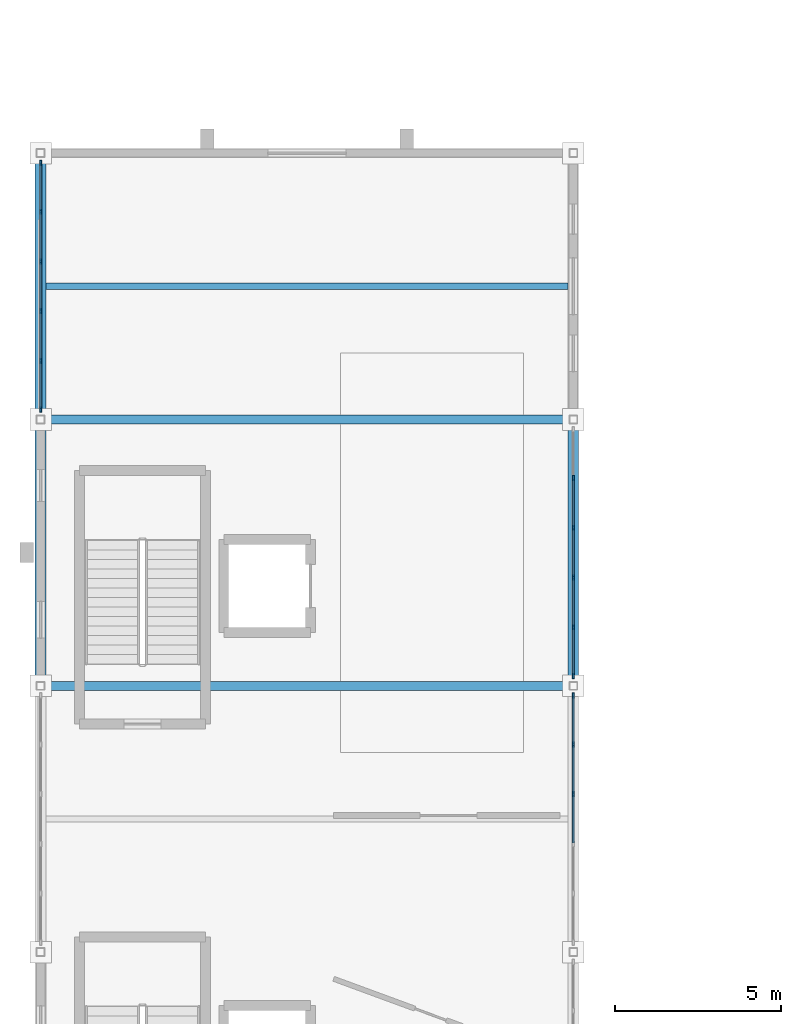
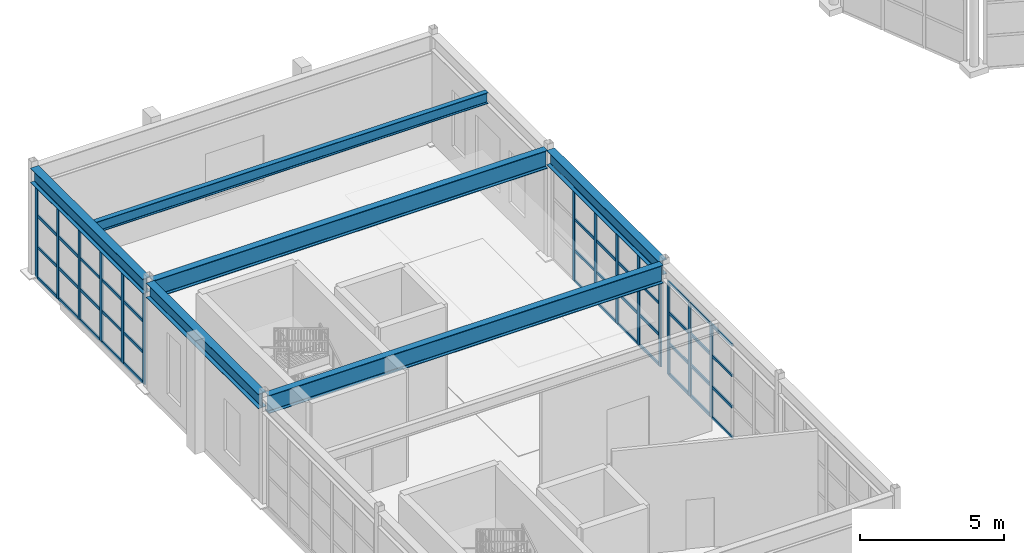
# One storey, part 11 of 61: 62 members, 6 beams, 3 elements without a shape of their own.
"""IFC4 building model written with IfcOpenShell, lengths in metres."""

from ifc_helpers import new_model, si_unit, direction, frame, origin, origin_2d, place, context, subcontext, project, spatial, rectangle, i_section, extrude, material, material_profile, profile_set, type_object, element, aggregate, save


model = new_model("IFC4")

# Units and contexts
model_context = context("Model", 3, precision=1e-05, world=origin(), true_north=direction((0.0, 1.0)))
body_context = subcontext(model_context, "Body", "Model", "MODEL_VIEW")
ifc_project = project(units=[si_unit("LENGTHUNIT", "METRE"), si_unit("AREAUNIT", "SQUARE_METRE"), si_unit("VOLUMEUNIT", "CUBIC_METRE"), si_unit("PLANEANGLEUNIT", "RADIAN"), si_unit("MASSUNIT", "GRAM", prefix="KILO")], contexts=[model_context])

# Site, building, storey
site_placement = place(None, origin())
site = spatial("IfcSite", under=ifc_project, at=site_placement, CompositionType="ELEMENT")
building_placement = place(site_placement, origin())
building = spatial("IfcBuilding", under=site, at=building_placement, Name="Serraluz Foothill Cableway Terminal", CompositionType="ELEMENT")
storey_placement = place(building_placement, frame((0.0, 0.0, 15.0)))
storey = spatial("IfcBuildingStorey", under=building, at=storey_placement, Name="L03", CompositionType="ELEMENT", Elevation=15.0)

# Beams
ifc_material_1 = material(Name="Steel ASTM A992 Grade 50", Category="steel")
ifc_material_profile_1 = material_profile(ifc_material_1, i_section(OverallWidth=0.324951171875, OverallDepth=0.615966796875, WebThickness=0.013916015625, FlangeThickness=0.021484375, FilletRadius=0.01806640625, at=origin_2d()), Name="W24X117")
ifc_profile_set_1 = profile_set([ifc_material_profile_1], Name="Steel ASTM A992 Grade 50")
beam_type_1 = type_object("IfcBeamType", Name="TYP-BM-W24X117", PredefinedType="BEAM", material=ifc_profile_set_1)
for number, where, z_axis, x_axis, name in (
    (1, (0.0, 48.12109375, 4.251953125), (0.0, 1.0, 0.0), (-1.0, 0.0, 0.0), "Transverse Girder BM-Y-L03-0379"),
    (2, (0.0, 56.12109375, 4.257080078125), (0.0, 1.0, 0.0), (-1.0, 0.0, 0.0), "Transverse Girder BM-Y-L03-0380"),
    (3, (16.0, 48.12109375, 4.251953125), (0.0, 1.0, 0.0), (-1.0, 0.0, 0.0), "Transverse Girder BM-Y-L03-0383"),
):
    element("IfcBeam", number, at=place(storey_placement, frame(where, z_axis=z_axis, x_axis=x_axis)), inside=storey, type_object=beam_type_1, Name=name, PredefinedType="BEAM", context=body_context, shape_type="SweptSolid", body=[
        extrude(i_section(OverallWidth=0.324951171875, OverallDepth=0.615966796875, WebThickness=0.013916015625, FlangeThickness=0.021484375, FilletRadius=0.01806640625, at=origin_2d()), origin(), (0.0, 0.0, 1.0), 7.7578125),
    ])
ifc_material_profile_2 = material_profile(ifc_material_1, i_section(OverallWidth=0.26806640625, OverallDepth=0.77001953125, WebThickness=0.015625, FlangeThickness=0.025390625, FilletRadius=0.02197265625, at=origin_2d()), Name="W30X132")
ifc_profile_set_2 = profile_set([ifc_material_profile_2], Name="Steel ASTM A992 Grade 50")
beam_type_2 = type_object("IfcBeamType", Name="TYP-BM-W30X132", PredefinedType="BEAM", material=ifc_profile_set_2)
for number, where, z_axis, x_axis, name in (
    (4, (0.12109375, 48.0, 4.175048828125), (1.0, 0.0, 0.0), (0.0, 1.0, 0.0), "Primary Girder BM-X-L03-0346"),
    (5, (0.12109375, 56.0, 4.175048828125), (1.0, 0.0, 0.0), (0.0, 1.0, 0.0), "Primary Girder BM-X-L03-0347"),
):
    element("IfcBeam", number, at=place(storey_placement, frame(where, z_axis=z_axis, x_axis=x_axis)), inside=storey, type_object=beam_type_2, Name=name, PredefinedType="BEAM", context=body_context, shape_type="SweptSolid", body=[
        extrude(i_section(OverallWidth=0.26806640625, OverallDepth=0.77001953125, WebThickness=0.015625, FlangeThickness=0.025390625, FilletRadius=0.02197265625, at=origin_2d()), origin(), (0.0, 0.0, 1.0), 15.7578125),
    ])

# Curtain wall, members
ifc_material_2 = material(Name="Architectural bronze alloy C28000", Category="aluminium")
curtain_wall_type_1 = type_object("IfcCurtainWallType", Name="TYP-CW-480X380", PredefinedType="NOTDEFINED", material=ifc_material_2)
curtain_wall_1_placement = place(storey_placement, origin())
curtain_wall_1 = element("IfcCurtainWall", 6, at=curtain_wall_1_placement, inside=storey, type_object=curtain_wall_type_1, Name="Ribbed Glazed Curtain Wall CW-V5E-L03-40", PredefinedType="NOTDEFINED")
ifc_material_profile_3 = material_profile(ifc_material_2, rectangle(XDim=0.06005859375, YDim=0.159912109375, at=origin_2d()), Name="ALU MULLION 60x160")
ifc_profile_set_3 = profile_set([ifc_material_profile_3], Name="Architectural bronze alloy C28000")
member_type_1 = type_object("IfcMemberType", Name="TYP-CW-MUL-60X160", PredefinedType="MULLION", material=ifc_profile_set_3)
member_1_placement = place(storey_placement, frame((16.0, 47.705078125, 0.0), z_axis=(0.0, 0.0, 1.0), x_axis=(1.0, 0.0, 0.0)))
member_1 = element("IfcMember", 7, at=member_1_placement, type_object=member_type_1, Name="CW-14 mullion 1", PredefinedType="MULLION", context=body_context, shape_type="SweptSolid", body=[
    extrude(rectangle(XDim=0.06005859375, YDim=0.159912109375, at=origin_2d()), origin(), (0.0, 0.0, 1.0), 3.944091796875),
])
member_2_placement = place(storey_placement, frame((16.0, 46.240966796875, 0.0), z_axis=(0.0, 0.0, 1.0), x_axis=(1.0, 0.0, 0.0)))
member_2 = element("IfcMember", 8, at=member_2_placement, type_object=member_type_1, Name="CW-14 mullion 2", PredefinedType="MULLION", context=body_context, shape_type="SweptSolid", body=[
    extrude(rectangle(XDim=0.06005859375, YDim=0.159912109375, at=origin_2d()), origin(), (0.0, 0.0, 1.0), 3.944091796875),
])
member_3_placement = place(storey_placement, frame((16.0, 44.7470703125, 0.0), z_axis=(0.0, 0.0, 1.0), x_axis=(1.0, 0.0, 0.0)))
member_3 = element("IfcMember", 9, at=member_3_placement, type_object=member_type_1, Name="CW-14 mullion 3", PredefinedType="MULLION", context=body_context, shape_type="SweptSolid", body=[
    extrude(rectangle(XDim=0.06005859375, YDim=0.159912109375, at=origin_2d()), origin(), (0.0, 0.0, 1.0), 3.944091796875),
])

curtain_wall_type_2 = type_object("IfcCurtainWallType", Name="TYP-CW-480X420", PredefinedType="NOTDEFINED", material=ifc_material_2)
curtain_wall_2_placement = place(storey_placement, origin())
curtain_wall_2 = element("IfcCurtainWall", 10, at=curtain_wall_2_placement, inside=storey, type_object=curtain_wall_type_2, Name="Ribbed Glazed Curtain Wall CW-V5E-L03-48", PredefinedType="NOTDEFINED")
member_4_placement = place(storey_placement, frame((16.0, 54.240966796875, 0.0), z_axis=(0.0, 0.0, 1.0), x_axis=(1.0, 0.0, 0.0)))
member_4 = element("IfcMember", 11, at=member_4_placement, type_object=member_type_1, Name="CW-15 mullion 2", PredefinedType="MULLION", context=body_context, shape_type="SweptSolid", body=[
    extrude(rectangle(XDim=0.06005859375, YDim=0.159912109375, at=origin_2d()), origin(), (0.0, 0.0, 1.0), 3.944091796875),
])
member_5_placement = place(storey_placement, frame((16.0, 52.7470703125, 0.0), z_axis=(0.0, 0.0, 1.0), x_axis=(1.0, 0.0, 0.0)))
member_5 = element("IfcMember", 12, at=member_5_placement, type_object=member_type_1, Name="CW-15 mullion 3", PredefinedType="MULLION", context=body_context, shape_type="SweptSolid", body=[
    extrude(rectangle(XDim=0.06005859375, YDim=0.159912109375, at=origin_2d()), origin(), (0.0, 0.0, 1.0), 3.944091796875),
])
member_6_placement = place(storey_placement, frame((16.0, 51.2529296875, 0.0), z_axis=(0.0, 0.0, 1.0), x_axis=(1.0, 0.0, 0.0)))
member_6 = element("IfcMember", 13, at=member_6_placement, type_object=member_type_1, Name="CW-15 mullion 4", PredefinedType="MULLION", context=body_context, shape_type="SweptSolid", body=[
    extrude(rectangle(XDim=0.06005859375, YDim=0.159912109375, at=origin_2d()), origin(), (0.0, 0.0, 1.0), 3.944091796875),
])
member_7_placement = place(storey_placement, frame((16.0, 49.759033203125, 0.0), z_axis=(0.0, 0.0, 1.0), x_axis=(1.0, 0.0, 0.0)))
member_7 = element("IfcMember", 14, at=member_7_placement, type_object=member_type_1, Name="CW-15 mullion 5", PredefinedType="MULLION", context=body_context, shape_type="SweptSolid", body=[
    extrude(rectangle(XDim=0.06005859375, YDim=0.159912109375, at=origin_2d()), origin(), (0.0, 0.0, 1.0), 3.944091796875),
])
member_8_placement = place(storey_placement, frame((16.0, 48.294921875, 0.0), z_axis=(0.0, 0.0, 1.0), x_axis=(1.0, 0.0, 0.0)))
member_8 = element("IfcMember", 15, at=member_8_placement, type_object=member_type_1, Name="CW-15 mullion 6", PredefinedType="MULLION", context=body_context, shape_type="SweptSolid", body=[
    extrude(rectangle(XDim=0.06005859375, YDim=0.159912109375, at=origin_2d()), origin(), (0.0, 0.0, 1.0), 3.944091796875),
])

curtain_wall_type_3 = type_object("IfcCurtainWallType", Name="TYP-CW-540X420", PredefinedType="NOTDEFINED", material=ifc_material_2)
curtain_wall_3_placement = place(storey_placement, origin())
curtain_wall_3 = element("IfcCurtainWall", 16, at=curtain_wall_3_placement, inside=storey, type_object=curtain_wall_type_3, Name="Ribbed Glazed Curtain Wall CW-V5W-L03-56", PredefinedType="NOTDEFINED")
member_9_placement = place(storey_placement, frame((0.0, 56.294921875, 0.0), z_axis=(0.0, 0.0, 1.0), x_axis=(-1.0, 0.0, 0.0)))
member_9 = element("IfcMember", 17, at=member_9_placement, type_object=member_type_1, Name="CW-10 mullion 1", PredefinedType="MULLION", context=body_context, shape_type="SweptSolid", body=[
    extrude(rectangle(XDim=0.06005859375, YDim=0.159912109375, at=origin_2d()), origin(), (0.0, 0.0, 1.0), 3.948974609375),
])
member_10_placement = place(storey_placement, frame((0.0, 57.759033203125, 0.0), z_axis=(0.0, 0.0, 1.0), x_axis=(-1.0, 0.0, 0.0)))
member_10 = element("IfcMember", 18, at=member_10_placement, type_object=member_type_1, Name="CW-10 mullion 2", PredefinedType="MULLION", context=body_context, shape_type="SweptSolid", body=[
    extrude(rectangle(XDim=0.06005859375, YDim=0.159912109375, at=origin_2d()), origin(), (0.0, 0.0, 1.0), 3.948974609375),
])
member_11_placement = place(storey_placement, frame((0.0, 59.2529296875, 0.0), z_axis=(0.0, 0.0, 1.0), x_axis=(-1.0, 0.0, 0.0)))
member_11 = element("IfcMember", 19, at=member_11_placement, type_object=member_type_1, Name="CW-10 mullion 3", PredefinedType="MULLION", context=body_context, shape_type="SweptSolid", body=[
    extrude(rectangle(XDim=0.06005859375, YDim=0.159912109375, at=origin_2d()), origin(), (0.0, 0.0, 1.0), 3.948974609375),
])
member_12_placement = place(storey_placement, frame((0.0, 60.7470703125, 0.0), z_axis=(0.0, 0.0, 1.0), x_axis=(-1.0, 0.0, 0.0)))
member_12 = element("IfcMember", 20, at=member_12_placement, type_object=member_type_1, Name="CW-10 mullion 4", PredefinedType="MULLION", context=body_context, shape_type="SweptSolid", body=[
    extrude(rectangle(XDim=0.06005859375, YDim=0.159912109375, at=origin_2d()), origin(), (0.0, 0.0, 1.0), 3.948974609375),
])
member_13_placement = place(storey_placement, frame((0.0, 62.240966796875, 0.0), z_axis=(0.0, 0.0, 1.0), x_axis=(-1.0, 0.0, 0.0)))
member_13 = element("IfcMember", 21, at=member_13_placement, type_object=member_type_1, Name="CW-10 mullion 5", PredefinedType="MULLION", context=body_context, shape_type="SweptSolid", body=[
    extrude(rectangle(XDim=0.06005859375, YDim=0.159912109375, at=origin_2d()), origin(), (0.0, 0.0, 1.0), 3.948974609375),
])
member_14_placement = place(storey_placement, frame((0.0, 63.705078125, 0.0), z_axis=(0.0, 0.0, 1.0), x_axis=(-1.0, 0.0, 0.0)))
member_14 = element("IfcMember", 22, at=member_14_placement, type_object=member_type_1, Name="CW-10 mullion 6", PredefinedType="MULLION", context=body_context, shape_type="SweptSolid", body=[
    extrude(rectangle(XDim=0.06005859375, YDim=0.159912109375, at=origin_2d()), origin(), (0.0, 0.0, 1.0), 3.948974609375),
])

# Member
ifc_material_profile_4 = material_profile(ifc_material_2, rectangle(XDim=0.06005859375, YDim=0.1201171875, at=origin_2d()), Name="ALU TRANSOM 60x120")
ifc_profile_set_4 = profile_set([ifc_material_profile_4], Name="Architectural bronze alloy C28000")
member_type_2 = type_object("IfcMemberType", Name="TYP-CW-TRN-60X120", PredefinedType="USERDEFINED", material=ifc_profile_set_4)
member_15_placement = place(storey_placement, frame((16.0, 47.675048828125, 0.030029296875), z_axis=(0.0, -1.0, 0.0), x_axis=(1.0, 0.0, 0.0)))
member_15 = element("IfcMember", 23, at=member_15_placement, type_object=member_type_2, Name="CW-14 transom 1.1", ObjectType="TRANSOM", PredefinedType="USERDEFINED", context=body_context, shape_type="SweptSolid", body=[
    extrude(rectangle(XDim=0.06005859375, YDim=0.1201171875, at=origin_2d()), origin(), (0.0, 0.0, 1.0), 1.404052734375),
])

member_16_placement = place(storey_placement, frame((16.0, 47.675048828125, 1.314697265625), z_axis=(0.0, -1.0, 0.0), x_axis=(1.0, 0.0, 0.0)))
member_16 = element("IfcMember", 24, at=member_16_placement, type_object=member_type_2, Name="CW-14 transom 1.2", ObjectType="TRANSOM", PredefinedType="USERDEFINED", context=body_context, shape_type="SweptSolid", body=[
    extrude(rectangle(XDim=0.06005859375, YDim=0.1201171875, at=origin_2d()), origin(), (0.0, 0.0, 1.0), 1.404052734375),
])

member_17_placement = place(storey_placement, frame((16.0, 47.675048828125, 2.62939453125), z_axis=(0.0, -1.0, 0.0), x_axis=(1.0, 0.0, 0.0)))
member_17 = element("IfcMember", 25, at=member_17_placement, type_object=member_type_2, Name="CW-14 transom 1.3", ObjectType="TRANSOM", PredefinedType="USERDEFINED", context=body_context, shape_type="SweptSolid", body=[
    extrude(rectangle(XDim=0.06005859375, YDim=0.1201171875, at=origin_2d()), origin(), (0.0, 0.0, 1.0), 1.404052734375),
])

member_18_placement = place(storey_placement, frame((16.0, 47.675048828125, 3.9140625), z_axis=(0.0, -1.0, 0.0), x_axis=(1.0, 0.0, 0.0)))
member_18 = element("IfcMember", 26, at=member_18_placement, type_object=member_type_2, Name="CW-14 transom 1.4", ObjectType="TRANSOM", PredefinedType="USERDEFINED", context=body_context, shape_type="SweptSolid", body=[
    extrude(rectangle(XDim=0.06005859375, YDim=0.1201171875, at=origin_2d()), origin(), (0.0, 0.0, 1.0), 1.404052734375),
])

member_19_placement = place(storey_placement, frame((16.0, 46.2109375, 0.030029296875), z_axis=(0.0, -1.0, 0.0), x_axis=(1.0, 0.0, 0.0)))
member_19 = element("IfcMember", 27, at=member_19_placement, type_object=member_type_2, Name="CW-14 transom 2.1", ObjectType="TRANSOM", PredefinedType="USERDEFINED", context=body_context, shape_type="SweptSolid", body=[
    extrude(rectangle(XDim=0.06005859375, YDim=0.1201171875, at=origin_2d()), origin(), (0.0, 0.0, 1.0), 1.433837890625),
])

member_20_placement = place(storey_placement, frame((16.0, 46.2109375, 1.314697265625), z_axis=(0.0, -1.0, 0.0), x_axis=(1.0, 0.0, 0.0)))
member_20 = element("IfcMember", 28, at=member_20_placement, type_object=member_type_2, Name="CW-14 transom 2.2", ObjectType="TRANSOM", PredefinedType="USERDEFINED", context=body_context, shape_type="SweptSolid", body=[
    extrude(rectangle(XDim=0.06005859375, YDim=0.1201171875, at=origin_2d()), origin(), (0.0, 0.0, 1.0), 1.433837890625),
])

member_21_placement = place(storey_placement, frame((16.0, 46.2109375, 2.62939453125), z_axis=(0.0, -1.0, 0.0), x_axis=(1.0, 0.0, 0.0)))
member_21 = element("IfcMember", 29, at=member_21_placement, type_object=member_type_2, Name="CW-14 transom 2.3", ObjectType="TRANSOM", PredefinedType="USERDEFINED", context=body_context, shape_type="SweptSolid", body=[
    extrude(rectangle(XDim=0.06005859375, YDim=0.1201171875, at=origin_2d()), origin(), (0.0, 0.0, 1.0), 1.433837890625),
])

member_22_placement = place(storey_placement, frame((16.0, 46.2109375, 3.9140625), z_axis=(0.0, -1.0, 0.0), x_axis=(1.0, 0.0, 0.0)))
member_22 = element("IfcMember", 30, at=member_22_placement, type_object=member_type_2, Name="CW-14 transom 2.4", ObjectType="TRANSOM", PredefinedType="USERDEFINED", context=body_context, shape_type="SweptSolid", body=[
    extrude(rectangle(XDim=0.06005859375, YDim=0.1201171875, at=origin_2d()), origin(), (0.0, 0.0, 1.0), 1.433837890625),
])

member_23_placement = place(storey_placement, frame((16.0, 44.717041015625, 0.030029296875), z_axis=(0.0, -1.0, 0.0), x_axis=(1.0, 0.0, 0.0)))
member_23 = element("IfcMember", 31, at=member_23_placement, type_object=member_type_2, Name="CW-14 transom 3.1", ObjectType="TRANSOM", PredefinedType="USERDEFINED", context=body_context, shape_type="SweptSolid", body=[
    extrude(rectangle(XDim=0.06005859375, YDim=0.1201171875, at=origin_2d()), origin(), (0.0, 0.0, 1.0), 1.43408203125),
])

member_24_placement = place(storey_placement, frame((16.0, 44.717041015625, 1.314697265625), z_axis=(0.0, -1.0, 0.0), x_axis=(1.0, 0.0, 0.0)))
member_24 = element("IfcMember", 32, at=member_24_placement, type_object=member_type_2, Name="CW-14 transom 3.2", ObjectType="TRANSOM", PredefinedType="USERDEFINED", context=body_context, shape_type="SweptSolid", body=[
    extrude(rectangle(XDim=0.06005859375, YDim=0.1201171875, at=origin_2d()), origin(), (0.0, 0.0, 1.0), 1.43408203125),
])

member_25_placement = place(storey_placement, frame((16.0, 44.717041015625, 2.62939453125), z_axis=(0.0, -1.0, 0.0), x_axis=(1.0, 0.0, 0.0)))
member_25 = element("IfcMember", 33, at=member_25_placement, type_object=member_type_2, Name="CW-14 transom 3.3", ObjectType="TRANSOM", PredefinedType="USERDEFINED", context=body_context, shape_type="SweptSolid", body=[
    extrude(rectangle(XDim=0.06005859375, YDim=0.1201171875, at=origin_2d()), origin(), (0.0, 0.0, 1.0), 1.43408203125),
])

member_26_placement = place(storey_placement, frame((16.0, 44.717041015625, 3.9140625), z_axis=(0.0, -1.0, 0.0), x_axis=(1.0, 0.0, 0.0)))
member_26 = element("IfcMember", 34, at=member_26_placement, type_object=member_type_2, Name="CW-14 transom 3.4", ObjectType="TRANSOM", PredefinedType="USERDEFINED", context=body_context, shape_type="SweptSolid", body=[
    extrude(rectangle(XDim=0.06005859375, YDim=0.1201171875, at=origin_2d()), origin(), (0.0, 0.0, 1.0), 1.43408203125),
])

aggregate(curtain_wall_1, [member_1, member_2, member_3, member_15, member_16, member_17, member_18, member_19, member_20, member_21, member_22, member_23, member_24, member_25, member_26])

member_27_placement = place(storey_placement, frame((16.0, 54.2109375, 0.030029296875), z_axis=(0.0, -1.0, 0.0), x_axis=(1.0, 0.0, 0.0)))
member_27 = element("IfcMember", 35, at=member_27_placement, type_object=member_type_2, Name="CW-15 transom 2.1", ObjectType="TRANSOM", PredefinedType="USERDEFINED", context=body_context, shape_type="SweptSolid", body=[
    extrude(rectangle(XDim=0.06005859375, YDim=0.1201171875, at=origin_2d()), origin(), (0.0, 0.0, 1.0), 1.433837890625),
])

member_28_placement = place(storey_placement, frame((16.0, 54.2109375, 1.314697265625), z_axis=(0.0, -1.0, 0.0), x_axis=(1.0, 0.0, 0.0)))
member_28 = element("IfcMember", 36, at=member_28_placement, type_object=member_type_2, Name="CW-15 transom 2.2", ObjectType="TRANSOM", PredefinedType="USERDEFINED", context=body_context, shape_type="SweptSolid", body=[
    extrude(rectangle(XDim=0.06005859375, YDim=0.1201171875, at=origin_2d()), origin(), (0.0, 0.0, 1.0), 1.433837890625),
])

member_29_placement = place(storey_placement, frame((16.0, 54.2109375, 2.62939453125), z_axis=(0.0, -1.0, 0.0), x_axis=(1.0, 0.0, 0.0)))
member_29 = element("IfcMember", 37, at=member_29_placement, type_object=member_type_2, Name="CW-15 transom 2.3", ObjectType="TRANSOM", PredefinedType="USERDEFINED", context=body_context, shape_type="SweptSolid", body=[
    extrude(rectangle(XDim=0.06005859375, YDim=0.1201171875, at=origin_2d()), origin(), (0.0, 0.0, 1.0), 1.433837890625),
])

member_30_placement = place(storey_placement, frame((16.0, 54.2109375, 3.9140625), z_axis=(0.0, -1.0, 0.0), x_axis=(1.0, 0.0, 0.0)))
member_30 = element("IfcMember", 38, at=member_30_placement, type_object=member_type_2, Name="CW-15 transom 2.4", ObjectType="TRANSOM", PredefinedType="USERDEFINED", context=body_context, shape_type="SweptSolid", body=[
    extrude(rectangle(XDim=0.06005859375, YDim=0.1201171875, at=origin_2d()), origin(), (0.0, 0.0, 1.0), 1.433837890625),
])

member_31_placement = place(storey_placement, frame((16.0, 52.717041015625, 0.030029296875), z_axis=(0.0, -1.0, 0.0), x_axis=(1.0, 0.0, 0.0)))
member_31 = element("IfcMember", 39, at=member_31_placement, type_object=member_type_2, Name="CW-15 transom 3.1", ObjectType="TRANSOM", PredefinedType="USERDEFINED", context=body_context, shape_type="SweptSolid", body=[
    extrude(rectangle(XDim=0.06005859375, YDim=0.1201171875, at=origin_2d()), origin(), (0.0, 0.0, 1.0), 1.43408203125),
])

member_32_placement = place(storey_placement, frame((16.0, 52.717041015625, 1.314697265625), z_axis=(0.0, -1.0, 0.0), x_axis=(1.0, 0.0, 0.0)))
member_32 = element("IfcMember", 40, at=member_32_placement, type_object=member_type_2, Name="CW-15 transom 3.2", ObjectType="TRANSOM", PredefinedType="USERDEFINED", context=body_context, shape_type="SweptSolid", body=[
    extrude(rectangle(XDim=0.06005859375, YDim=0.1201171875, at=origin_2d()), origin(), (0.0, 0.0, 1.0), 1.43408203125),
])

member_33_placement = place(storey_placement, frame((16.0, 52.717041015625, 2.62939453125), z_axis=(0.0, -1.0, 0.0), x_axis=(1.0, 0.0, 0.0)))
member_33 = element("IfcMember", 41, at=member_33_placement, type_object=member_type_2, Name="CW-15 transom 3.3", ObjectType="TRANSOM", PredefinedType="USERDEFINED", context=body_context, shape_type="SweptSolid", body=[
    extrude(rectangle(XDim=0.06005859375, YDim=0.1201171875, at=origin_2d()), origin(), (0.0, 0.0, 1.0), 1.43408203125),
])

member_34_placement = place(storey_placement, frame((16.0, 52.717041015625, 3.9140625), z_axis=(0.0, -1.0, 0.0), x_axis=(1.0, 0.0, 0.0)))
member_34 = element("IfcMember", 42, at=member_34_placement, type_object=member_type_2, Name="CW-15 transom 3.4", ObjectType="TRANSOM", PredefinedType="USERDEFINED", context=body_context, shape_type="SweptSolid", body=[
    extrude(rectangle(XDim=0.06005859375, YDim=0.1201171875, at=origin_2d()), origin(), (0.0, 0.0, 1.0), 1.43408203125),
])

member_35_placement = place(storey_placement, frame((16.0, 51.222900390625, 0.030029296875), z_axis=(0.0, -1.0, 0.0), x_axis=(1.0, 0.0, 0.0)))
member_35 = element("IfcMember", 43, at=member_35_placement, type_object=member_type_2, Name="CW-15 transom 4.1", ObjectType="TRANSOM", PredefinedType="USERDEFINED", context=body_context, shape_type="SweptSolid", body=[
    extrude(rectangle(XDim=0.06005859375, YDim=0.1201171875, at=origin_2d()), origin(), (0.0, 0.0, 1.0), 1.433837890625),
])

member_36_placement = place(storey_placement, frame((16.0, 51.222900390625, 1.314697265625), z_axis=(0.0, -1.0, 0.0), x_axis=(1.0, 0.0, 0.0)))
member_36 = element("IfcMember", 44, at=member_36_placement, type_object=member_type_2, Name="CW-15 transom 4.2", ObjectType="TRANSOM", PredefinedType="USERDEFINED", context=body_context, shape_type="SweptSolid", body=[
    extrude(rectangle(XDim=0.06005859375, YDim=0.1201171875, at=origin_2d()), origin(), (0.0, 0.0, 1.0), 1.433837890625),
])

member_37_placement = place(storey_placement, frame((16.0, 51.222900390625, 2.62939453125), z_axis=(0.0, -1.0, 0.0), x_axis=(1.0, 0.0, 0.0)))
member_37 = element("IfcMember", 45, at=member_37_placement, type_object=member_type_2, Name="CW-15 transom 4.3", ObjectType="TRANSOM", PredefinedType="USERDEFINED", context=body_context, shape_type="SweptSolid", body=[
    extrude(rectangle(XDim=0.06005859375, YDim=0.1201171875, at=origin_2d()), origin(), (0.0, 0.0, 1.0), 1.433837890625),
])

member_38_placement = place(storey_placement, frame((16.0, 51.222900390625, 3.9140625), z_axis=(0.0, -1.0, 0.0), x_axis=(1.0, 0.0, 0.0)))
member_38 = element("IfcMember", 46, at=member_38_placement, type_object=member_type_2, Name="CW-15 transom 4.4", ObjectType="TRANSOM", PredefinedType="USERDEFINED", context=body_context, shape_type="SweptSolid", body=[
    extrude(rectangle(XDim=0.06005859375, YDim=0.1201171875, at=origin_2d()), origin(), (0.0, 0.0, 1.0), 1.433837890625),
])

member_39_placement = place(storey_placement, frame((16.0, 49.72900390625, 0.030029296875), z_axis=(0.0, -1.0, 0.0), x_axis=(1.0, 0.0, 0.0)))
member_39 = element("IfcMember", 47, at=member_39_placement, type_object=member_type_2, Name="CW-15 transom 5.1", ObjectType="TRANSOM", PredefinedType="USERDEFINED", context=body_context, shape_type="SweptSolid", body=[
    extrude(rectangle(XDim=0.06005859375, YDim=0.1201171875, at=origin_2d()), origin(), (0.0, 0.0, 1.0), 1.404052734375),
])

member_40_placement = place(storey_placement, frame((16.0, 49.72900390625, 1.314697265625), z_axis=(0.0, -1.0, 0.0), x_axis=(1.0, 0.0, 0.0)))
member_40 = element("IfcMember", 48, at=member_40_placement, type_object=member_type_2, Name="CW-15 transom 5.2", ObjectType="TRANSOM", PredefinedType="USERDEFINED", context=body_context, shape_type="SweptSolid", body=[
    extrude(rectangle(XDim=0.06005859375, YDim=0.1201171875, at=origin_2d()), origin(), (0.0, 0.0, 1.0), 1.404052734375),
])

member_41_placement = place(storey_placement, frame((16.0, 49.72900390625, 2.62939453125), z_axis=(0.0, -1.0, 0.0), x_axis=(1.0, 0.0, 0.0)))
member_41 = element("IfcMember", 49, at=member_41_placement, type_object=member_type_2, Name="CW-15 transom 5.3", ObjectType="TRANSOM", PredefinedType="USERDEFINED", context=body_context, shape_type="SweptSolid", body=[
    extrude(rectangle(XDim=0.06005859375, YDim=0.1201171875, at=origin_2d()), origin(), (0.0, 0.0, 1.0), 1.404052734375),
])

member_42_placement = place(storey_placement, frame((16.0, 49.72900390625, 3.9140625), z_axis=(0.0, -1.0, 0.0), x_axis=(1.0, 0.0, 0.0)))
member_42 = element("IfcMember", 50, at=member_42_placement, type_object=member_type_2, Name="CW-15 transom 5.4", ObjectType="TRANSOM", PredefinedType="USERDEFINED", context=body_context, shape_type="SweptSolid", body=[
    extrude(rectangle(XDim=0.06005859375, YDim=0.1201171875, at=origin_2d()), origin(), (0.0, 0.0, 1.0), 1.404052734375),
])

aggregate(curtain_wall_2, [member_4, member_5, member_6, member_7, member_8, member_27, member_28, member_29, member_30, member_31, member_32, member_33, member_34, member_35, member_36, member_37, member_38, member_39, member_40, member_41, member_42])

member_43_placement = place(storey_placement, frame((0.0, 56.324951171875, 0.030029296875), z_axis=(0.0, 1.0, 0.0), x_axis=(-1.0, 0.0, 0.0)))
member_43 = element("IfcMember", 51, at=member_43_placement, type_object=member_type_2, Name="CW-10 transom 1.1", ObjectType="TRANSOM", PredefinedType="USERDEFINED", context=body_context, shape_type="SweptSolid", body=[
    extrude(rectangle(XDim=0.06005859375, YDim=0.1201171875, at=origin_2d()), origin(), (0.0, 0.0, 1.0), 1.404052734375),
])

member_44_placement = place(storey_placement, frame((0.0, 56.324951171875, 1.31640625), z_axis=(0.0, 1.0, 0.0), x_axis=(-1.0, 0.0, 0.0)))
member_44 = element("IfcMember", 52, at=member_44_placement, type_object=member_type_2, Name="CW-10 transom 1.2", ObjectType="TRANSOM", PredefinedType="USERDEFINED", context=body_context, shape_type="SweptSolid", body=[
    extrude(rectangle(XDim=0.06005859375, YDim=0.1201171875, at=origin_2d()), origin(), (0.0, 0.0, 1.0), 1.404052734375),
])

member_45_placement = place(storey_placement, frame((0.0, 56.324951171875, 2.6328125), z_axis=(0.0, 1.0, 0.0), x_axis=(-1.0, 0.0, 0.0)))
member_45 = element("IfcMember", 53, at=member_45_placement, type_object=member_type_2, Name="CW-10 transom 1.3", ObjectType="TRANSOM", PredefinedType="USERDEFINED", context=body_context, shape_type="SweptSolid", body=[
    extrude(rectangle(XDim=0.06005859375, YDim=0.1201171875, at=origin_2d()), origin(), (0.0, 0.0, 1.0), 1.404052734375),
])

member_46_placement = place(storey_placement, frame((0.0, 56.324951171875, 3.9189453125), z_axis=(0.0, 1.0, 0.0), x_axis=(-1.0, 0.0, 0.0)))
member_46 = element("IfcMember", 54, at=member_46_placement, type_object=member_type_2, Name="CW-10 transom 1.4", ObjectType="TRANSOM", PredefinedType="USERDEFINED", context=body_context, shape_type="SweptSolid", body=[
    extrude(rectangle(XDim=0.06005859375, YDim=0.1201171875, at=origin_2d()), origin(), (0.0, 0.0, 1.0), 1.404052734375),
])

member_47_placement = place(storey_placement, frame((0.0, 57.7890625, 0.030029296875), z_axis=(0.0, 1.0, 0.0), x_axis=(-1.0, 0.0, 0.0)))
member_47 = element("IfcMember", 55, at=member_47_placement, type_object=member_type_2, Name="CW-10 transom 2.1", ObjectType="TRANSOM", PredefinedType="USERDEFINED", context=body_context, shape_type="SweptSolid", body=[
    extrude(rectangle(XDim=0.06005859375, YDim=0.1201171875, at=origin_2d()), origin(), (0.0, 0.0, 1.0), 1.433837890625),
])

member_48_placement = place(storey_placement, frame((0.0, 57.7890625, 1.31640625), z_axis=(0.0, 1.0, 0.0), x_axis=(-1.0, 0.0, 0.0)))
member_48 = element("IfcMember", 56, at=member_48_placement, type_object=member_type_2, Name="CW-10 transom 2.2", ObjectType="TRANSOM", PredefinedType="USERDEFINED", context=body_context, shape_type="SweptSolid", body=[
    extrude(rectangle(XDim=0.06005859375, YDim=0.1201171875, at=origin_2d()), origin(), (0.0, 0.0, 1.0), 1.433837890625),
])

member_49_placement = place(storey_placement, frame((0.0, 57.7890625, 2.6328125), z_axis=(0.0, 1.0, 0.0), x_axis=(-1.0, 0.0, 0.0)))
member_49 = element("IfcMember", 57, at=member_49_placement, type_object=member_type_2, Name="CW-10 transom 2.3", ObjectType="TRANSOM", PredefinedType="USERDEFINED", context=body_context, shape_type="SweptSolid", body=[
    extrude(rectangle(XDim=0.06005859375, YDim=0.1201171875, at=origin_2d()), origin(), (0.0, 0.0, 1.0), 1.433837890625),
])

member_50_placement = place(storey_placement, frame((0.0, 57.7890625, 3.9189453125), z_axis=(0.0, 1.0, 0.0), x_axis=(-1.0, 0.0, 0.0)))
member_50 = element("IfcMember", 58, at=member_50_placement, type_object=member_type_2, Name="CW-10 transom 2.4", ObjectType="TRANSOM", PredefinedType="USERDEFINED", context=body_context, shape_type="SweptSolid", body=[
    extrude(rectangle(XDim=0.06005859375, YDim=0.1201171875, at=origin_2d()), origin(), (0.0, 0.0, 1.0), 1.433837890625),
])

member_51_placement = place(storey_placement, frame((0.0, 59.282958984375, 0.030029296875), z_axis=(0.0, 1.0, 0.0), x_axis=(-1.0, 0.0, 0.0)))
member_51 = element("IfcMember", 59, at=member_51_placement, type_object=member_type_2, Name="CW-10 transom 3.1", ObjectType="TRANSOM", PredefinedType="USERDEFINED", context=body_context, shape_type="SweptSolid", body=[
    extrude(rectangle(XDim=0.06005859375, YDim=0.1201171875, at=origin_2d()), origin(), (0.0, 0.0, 1.0), 1.43408203125),
])

member_52_placement = place(storey_placement, frame((0.0, 59.282958984375, 1.31640625), z_axis=(0.0, 1.0, 0.0), x_axis=(-1.0, 0.0, 0.0)))
member_52 = element("IfcMember", 60, at=member_52_placement, type_object=member_type_2, Name="CW-10 transom 3.2", ObjectType="TRANSOM", PredefinedType="USERDEFINED", context=body_context, shape_type="SweptSolid", body=[
    extrude(rectangle(XDim=0.06005859375, YDim=0.1201171875, at=origin_2d()), origin(), (0.0, 0.0, 1.0), 1.43408203125),
])

member_53_placement = place(storey_placement, frame((0.0, 59.282958984375, 2.6328125), z_axis=(0.0, 1.0, 0.0), x_axis=(-1.0, 0.0, 0.0)))
member_53 = element("IfcMember", 61, at=member_53_placement, type_object=member_type_2, Name="CW-10 transom 3.3", ObjectType="TRANSOM", PredefinedType="USERDEFINED", context=body_context, shape_type="SweptSolid", body=[
    extrude(rectangle(XDim=0.06005859375, YDim=0.1201171875, at=origin_2d()), origin(), (0.0, 0.0, 1.0), 1.43408203125),
])

member_54_placement = place(storey_placement, frame((0.0, 59.282958984375, 3.9189453125), z_axis=(0.0, 1.0, 0.0), x_axis=(-1.0, 0.0, 0.0)))
member_54 = element("IfcMember", 62, at=member_54_placement, type_object=member_type_2, Name="CW-10 transom 3.4", ObjectType="TRANSOM", PredefinedType="USERDEFINED", context=body_context, shape_type="SweptSolid", body=[
    extrude(rectangle(XDim=0.06005859375, YDim=0.1201171875, at=origin_2d()), origin(), (0.0, 0.0, 1.0), 1.43408203125),
])

member_55_placement = place(storey_placement, frame((0.0, 60.777099609375, 0.030029296875), z_axis=(0.0, 1.0, 0.0), x_axis=(-1.0, 0.0, 0.0)))
member_55 = element("IfcMember", 63, at=member_55_placement, type_object=member_type_2, Name="CW-10 transom 4.1", ObjectType="TRANSOM", PredefinedType="USERDEFINED", context=body_context, shape_type="SweptSolid", body=[
    extrude(rectangle(XDim=0.06005859375, YDim=0.1201171875, at=origin_2d()), origin(), (0.0, 0.0, 1.0), 1.433837890625),
])

member_56_placement = place(storey_placement, frame((0.0, 60.777099609375, 1.31640625), z_axis=(0.0, 1.0, 0.0), x_axis=(-1.0, 0.0, 0.0)))
member_56 = element("IfcMember", 64, at=member_56_placement, type_object=member_type_2, Name="CW-10 transom 4.2", ObjectType="TRANSOM", PredefinedType="USERDEFINED", context=body_context, shape_type="SweptSolid", body=[
    extrude(rectangle(XDim=0.06005859375, YDim=0.1201171875, at=origin_2d()), origin(), (0.0, 0.0, 1.0), 1.433837890625),
])

member_57_placement = place(storey_placement, frame((0.0, 60.777099609375, 2.6328125), z_axis=(0.0, 1.0, 0.0), x_axis=(-1.0, 0.0, 0.0)))
member_57 = element("IfcMember", 65, at=member_57_placement, type_object=member_type_2, Name="CW-10 transom 4.3", ObjectType="TRANSOM", PredefinedType="USERDEFINED", context=body_context, shape_type="SweptSolid", body=[
    extrude(rectangle(XDim=0.06005859375, YDim=0.1201171875, at=origin_2d()), origin(), (0.0, 0.0, 1.0), 1.433837890625),
])

member_58_placement = place(storey_placement, frame((0.0, 60.777099609375, 3.9189453125), z_axis=(0.0, 1.0, 0.0), x_axis=(-1.0, 0.0, 0.0)))
member_58 = element("IfcMember", 66, at=member_58_placement, type_object=member_type_2, Name="CW-10 transom 4.4", ObjectType="TRANSOM", PredefinedType="USERDEFINED", context=body_context, shape_type="SweptSolid", body=[
    extrude(rectangle(XDim=0.06005859375, YDim=0.1201171875, at=origin_2d()), origin(), (0.0, 0.0, 1.0), 1.433837890625),
])

member_59_placement = place(storey_placement, frame((0.0, 62.27099609375, 0.030029296875), z_axis=(0.0, 1.0, 0.0), x_axis=(-1.0, 0.0, 0.0)))
member_59 = element("IfcMember", 67, at=member_59_placement, type_object=member_type_2, Name="CW-10 transom 5.1", ObjectType="TRANSOM", PredefinedType="USERDEFINED", context=body_context, shape_type="SweptSolid", body=[
    extrude(rectangle(XDim=0.06005859375, YDim=0.1201171875, at=origin_2d()), origin(), (0.0, 0.0, 1.0), 1.404052734375),
])

member_60_placement = place(storey_placement, frame((0.0, 62.27099609375, 1.31640625), z_axis=(0.0, 1.0, 0.0), x_axis=(-1.0, 0.0, 0.0)))
member_60 = element("IfcMember", 68, at=member_60_placement, type_object=member_type_2, Name="CW-10 transom 5.2", ObjectType="TRANSOM", PredefinedType="USERDEFINED", context=body_context, shape_type="SweptSolid", body=[
    extrude(rectangle(XDim=0.06005859375, YDim=0.1201171875, at=origin_2d()), origin(), (0.0, 0.0, 1.0), 1.404052734375),
])

member_61_placement = place(storey_placement, frame((0.0, 62.27099609375, 2.6328125), z_axis=(0.0, 1.0, 0.0), x_axis=(-1.0, 0.0, 0.0)))
member_61 = element("IfcMember", 69, at=member_61_placement, type_object=member_type_2, Name="CW-10 transom 5.3", ObjectType="TRANSOM", PredefinedType="USERDEFINED", context=body_context, shape_type="SweptSolid", body=[
    extrude(rectangle(XDim=0.06005859375, YDim=0.1201171875, at=origin_2d()), origin(), (0.0, 0.0, 1.0), 1.404052734375),
])

member_62_placement = place(storey_placement, frame((0.0, 62.27099609375, 3.9189453125), z_axis=(0.0, 1.0, 0.0), x_axis=(-1.0, 0.0, 0.0)))
member_62 = element("IfcMember", 70, at=member_62_placement, type_object=member_type_2, Name="CW-10 transom 5.4", ObjectType="TRANSOM", PredefinedType="USERDEFINED", context=body_context, shape_type="SweptSolid", body=[
    extrude(rectangle(XDim=0.06005859375, YDim=0.1201171875, at=origin_2d()), origin(), (0.0, 0.0, 1.0), 1.404052734375),
])

aggregate(curtain_wall_3, [member_9, member_10, member_11, member_12, member_13, member_14, member_43, member_44, member_45, member_46, member_47, member_48, member_49, member_50, member_51, member_52, member_53, member_54, member_55, member_56, member_57, member_58, member_59, member_60, member_61, member_62])

# Beam
ifc_material_profile_5 = material_profile(ifc_material_1, i_section(OverallWidth=0.193115234375, OverallDepth=0.467041015625, WebThickness=0.011474609375, FlangeThickness=0.01904296875, FilletRadius=0.014892578125, at=origin_2d()), Name="W18X65")
ifc_profile_set_5 = profile_set([ifc_material_profile_5], Name="Steel ASTM A992 Grade 50")
beam_type_3 = type_object("IfcBeamType", Name="TYP-JS-W18X65", PredefinedType="JOIST", material=ifc_profile_set_5)
beam_placement = place(storey_placement, frame((0.16748046875, 60.0, 4.33154296875), z_axis=(1.0, 0.0, 0.0), x_axis=(0.0, 1.0, 0.0)))
element("IfcBeam", 71, at=beam_placement, inside=storey, type_object=beam_type_3, Name="Secondary Floor Joist JS-L03-0138", PredefinedType="JOIST", context=body_context, shape_type="SweptSolid", body=[
    extrude(i_section(OverallWidth=0.193115234375, OverallDepth=0.467041015625, WebThickness=0.011474609375, FlangeThickness=0.01904296875, FilletRadius=0.014892578125, at=origin_2d()), origin(), (0.0, 0.0, 1.0), 15.6650390625),
])

save(model, "model.ifc")
